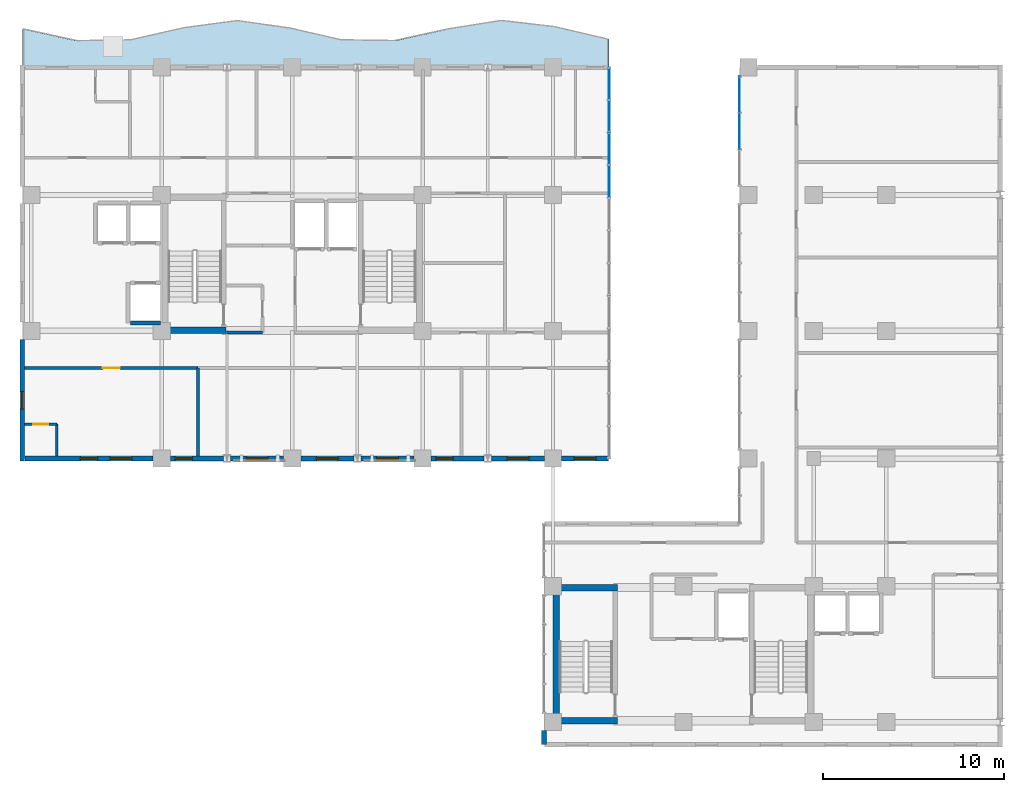
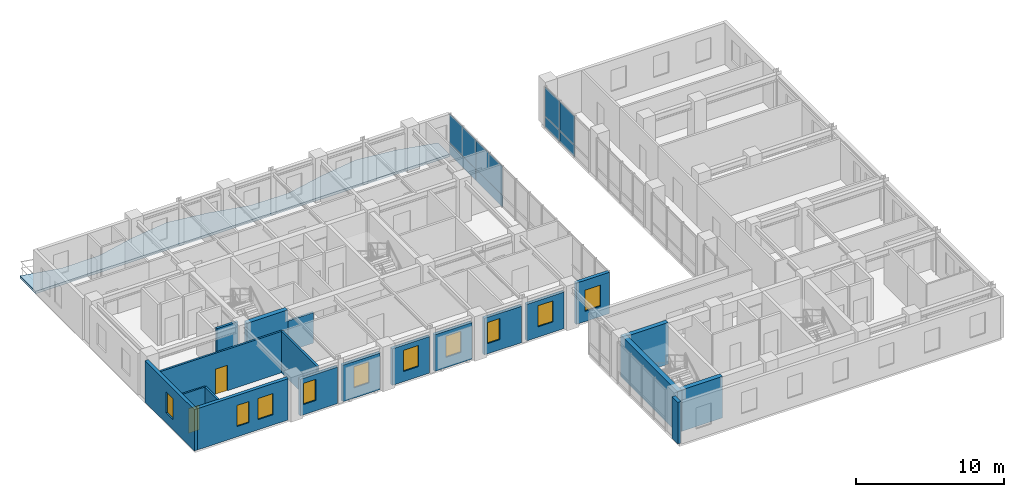
# One storey, part 16 of 24: 20 walls, 10 windows, 8 plates, 2 doors, 1 slab, 12 openings, 2 elements without a shape of their own.
"""IFC4 building model written with IfcOpenShell, lengths in metres."""

from ifc_helpers import new_model, si_unit, direction, frame, frame_2d, origin, origin_2d, place, context, subcontext, project, spatial, polyline, rectangle, outline, extrude, source, transform, mapped, material, layer, layer_set, type_object, element, fill, aggregate, save


model = new_model("IFC4")

# Units and contexts
model_context = context("Model", 3, precision=1e-05, world=origin(), true_north=direction((0.0, 1.0)))
body_context = subcontext(model_context, "Body", "Model", "MODEL_VIEW")
ifc_project = project(units=[si_unit("LENGTHUNIT", "METRE"), si_unit("AREAUNIT", "SQUARE_METRE"), si_unit("VOLUMEUNIT", "CUBIC_METRE"), si_unit("PLANEANGLEUNIT", "RADIAN"), si_unit("MASSUNIT", "GRAM", prefix="KILO")], contexts=[model_context])

# Site, building, storey
site_placement = place(None, origin())
site = spatial("IfcSite", under=ifc_project, at=site_placement, CompositionType="ELEMENT")
building_placement = place(site_placement, origin())
building = spatial("IfcBuilding", under=site, at=building_placement, Name="Kaliganga Portal Commons", CompositionType="ELEMENT")
storey_placement = place(building_placement, frame((0.0, 0.0, 235.10009765625)))
storey = spatial("IfcBuildingStorey", under=building, at=storey_placement, Name="L60", CompositionType="ELEMENT", Elevation=235.10009765625)

# Slab
ifc_material_1 = material(Name="Concrete C40/50", Category="concrete")
ifc_layer_1 = layer(ifc_material_1, 0.2099609375)
ifc_layer_set_1 = layer_set([ifc_layer_1], Name="Concrete C40/50")
slab_type = type_object("IfcSlabType", Name="SLB-BALC-210", PredefinedType="FLOOR", material=ifc_layer_set_1)
slab_placement = place(storey_placement, frame((0.0, 0.0, -0.210205078125)))
element("IfcSlab", 1, at=slab_placement, inside=storey, type_object=slab_type, Name="Scalloped Tree-Planter Balcony Slab L60 balc_north", PredefinedType="FLOOR", context=body_context, shape_type="SweptSolid", body=[
    extrude(outline(polyline([(39.10009765625, 43.199951171875), (39.10009765625, 44.760498046875), (36.154541015625, 45.455078125), (33.208984375, 45.796142578125), (30.263671875, 45.3271484375), (27.318115234375, 44.67578125), (24.372802734375, 44.714111328125), (21.42724609375, 45.390625), (18.481689453125, 45.800048828125), (15.536376953125, 45.39404296875), (12.5908203125, 44.71630859375), (9.6455078125, 44.674072265625), (6.699951171875, 45.32373046875), (6.699951171875, 43.199951171875), (39.10009765625, 43.199951171875)])), origin(), (0.0, 0.0, 1.0), 0.210205078125),
])

# Curtain wall, plates
ifc_material_2 = material(Name="Anodized Aluminium and Laminated Low-E Glass", Category="aluminium")
ifc_layer_2 = layer(ifc_material_2, 0.239990234375)
ifc_layer_set_2 = layer_set([ifc_layer_2], Name="Anodized Aluminium and Laminated Low-E Glass")
curtain_wall_type = type_object("IfcCurtainWallType", Name="CW-SYS-04", PredefinedType="NOTDEFINED", material=ifc_layer_set_2)
curtain_wall_1_placement = place(storey_placement, origin())
curtain_wall_1 = element("IfcCurtainWall", 2, at=curtain_wall_1_placement, inside=storey, type_object=curtain_wall_type, Name="CW 04 L60 P1E01S1", PredefinedType="NOTDEFINED")
ifc_material_3 = material(Name="Insulated Dark Spandrel Panel", Category="metal")
ifc_layer_3 = layer(ifc_material_3, 0.044921875)
ifc_layer_set_3 = layer_set([ifc_layer_3], Name="Insulated Dark Spandrel Panel")
plate_type_1 = type_object("IfcPlateType", Name="PLT-SPN-45", PredefinedType="SHEET", material=ifc_layer_set_3)
shared_shape_1 = source(origin(), body_context, "Body", "SweptSolid", [
    extrude(rectangle(XDim=3.56005859375, YDim=0.044921875, at=origin_2d()), origin(), (0.0, 0.0, 1.0), 0.929931640625),
])
plate_1_placement = place(storey_placement, frame((39.10009765625, 37.800048828125, 0.009765625), z_axis=(0.0, 0.0, 1.0), x_axis=(0.0, 1.0, 0.0)))
plate_1 = element("IfcPlate", 3, at=plate_1_placement, type_object=plate_type_1, Name="CW:04:L60:P1E01S1 Spandrel 08", PredefinedType="SHEET", context=body_context, shape_type="MappedRepresentation", body=[
    mapped(shared_shape_1, transform((0.0, 0.0, 0.0), x_axis=(1.0, 0.0, 0.0), y_axis=(0.0, 1.0, 0.0), z_axis=(0.0, 0.0, 1.0), scale=1.0)),
])
plate_2_placement = place(storey_placement, frame((39.10009765625, 41.39990234375, 0.009765625), z_axis=(0.0, 0.0, 1.0), x_axis=(0.0, 1.0, 0.0)))
plate_2 = element("IfcPlate", 4, at=plate_2_placement, type_object=plate_type_1, Name="CW:04:L60:P1E01S1 Spandrel 10", PredefinedType="SHEET", context=body_context, shape_type="MappedRepresentation", body=[
    mapped(shared_shape_1, transform((0.0, 0.0, 0.0), x_axis=(1.0, 0.0, 0.0), y_axis=(0.0, 1.0, 0.0), z_axis=(0.0, 0.0, 1.0), scale=1.0)),
])
ifc_material_4 = material(Name="Dark Solar-Control Laminated Low-E IGU", Category="glass")
ifc_layer_4 = layer(ifc_material_4, 0.028076171875)
ifc_layer_set_4 = layer_set([ifc_layer_4], Name="Dark Solar-Control Laminated Low-E IGU")
plate_type_2 = type_object("IfcPlateType", Name="PLT-GLZ-28", PredefinedType="CURTAIN_PANEL", material=ifc_layer_set_4)
shared_shape_2 = source(origin(), body_context, "Body", "SweptSolid", [
    extrude(rectangle(XDim=3.56005859375, YDim=0.028076171875, at=origin_2d()), origin(), (0.0, 0.0, 1.0), 2.389892578125),
])
plate_3_placement = place(storey_placement, frame((39.10009765625, 37.800048828125, 0.9599609375), z_axis=(0.0, 0.0, 1.0), x_axis=(0.0, 1.0, 0.0)))
plate_3 = element("IfcPlate", 5, at=plate_3_placement, type_object=plate_type_2, Name="CW:04:L60:P1E01S1 Vision IGU 08", PredefinedType="CURTAIN_PANEL", context=body_context, shape_type="MappedRepresentation", body=[
    mapped(shared_shape_2, transform((0.0, 0.0, 0.0), x_axis=(1.0, 0.0, 0.0), y_axis=(0.0, 1.0, 0.0), z_axis=(0.0, 0.0, 1.0), scale=1.0)),
])
plate_4_placement = place(storey_placement, frame((39.10009765625, 41.39990234375, 0.9599609375), z_axis=(0.0, 0.0, 1.0), x_axis=(0.0, 1.0, 0.0)))
plate_4 = element("IfcPlate", 6, at=plate_4_placement, type_object=plate_type_2, Name="CW:04:L60:P1E01S1 Vision IGU 10", PredefinedType="CURTAIN_PANEL", context=body_context, shape_type="MappedRepresentation", body=[
    mapped(shared_shape_2, transform((0.0, 0.0, 0.0), x_axis=(1.0, 0.0, 0.0), y_axis=(0.0, 1.0, 0.0), z_axis=(0.0, 0.0, 1.0), scale=1.0)),
])
aggregate(curtain_wall_1, [plate_1, plate_3, plate_2, plate_4])

curtain_wall_2_placement = place(storey_placement, origin())
curtain_wall_2 = element("IfcCurtainWall", 7, at=curtain_wall_2_placement, inside=storey, type_object=curtain_wall_type, Name="CW 04 L60 P2E03S1", PredefinedType="NOTDEFINED")
shared_shape_3 = source(origin(), body_context, "Body", "SweptSolid", [
    extrude(rectangle(XDim=1.99267578125, YDim=0.044921875, at=origin_2d()), origin(), (0.0, 0.0, 1.0), 0.929931640625),
])
plate_5_placement = place(storey_placement, frame((46.300048828125, 41.707763671875, 0.009765625), z_axis=(0.0, 0.0, 1.0), x_axis=(0.0, -1.0, 0.0)))
plate_5 = element("IfcPlate", 8, at=plate_5_placement, type_object=plate_type_1, Name="CW:04:L60:P2E03S1 Spandrel 00", PredefinedType="SHEET", context=body_context, shape_type="MappedRepresentation", body=[
    mapped(shared_shape_3, transform((0.0, 0.0, 0.0), x_axis=(1.0, 0.0, 0.0), y_axis=(0.0, 1.0, 0.0), z_axis=(0.0, 0.0, 1.0), scale=1.0)),
])
plate_6_placement = place(storey_placement, frame((46.300048828125, 39.675048828125, 0.009765625), z_axis=(0.0, 0.0, 1.0), x_axis=(0.0, -1.0, 0.0)))
plate_6 = element("IfcPlate", 9, at=plate_6_placement, type_object=plate_type_1, Name="CW:04:L60:P2E03S1 Spandrel 01", PredefinedType="SHEET", context=body_context, shape_type="MappedRepresentation", body=[
    mapped(shared_shape_3, transform((0.0, 0.0, 0.0), x_axis=(1.0, 0.0, 0.0), y_axis=(0.0, 1.0, 0.0), z_axis=(0.0, 0.0, 1.0), scale=1.0)),
])
shared_shape_4 = source(origin(), body_context, "Body", "SweptSolid", [
    extrude(rectangle(XDim=1.99267578125, YDim=0.028076171875, at=origin_2d()), origin(), (0.0, 0.0, 1.0), 2.389892578125),
])
plate_7_placement = place(storey_placement, frame((46.300048828125, 41.707763671875, 0.9599609375), z_axis=(0.0, 0.0, 1.0), x_axis=(0.0, -1.0, 0.0)))
plate_7 = element("IfcPlate", 10, at=plate_7_placement, type_object=plate_type_2, Name="CW:04:L60:P2E03S1 Vision IGU 00", PredefinedType="CURTAIN_PANEL", context=body_context, shape_type="MappedRepresentation", body=[
    mapped(shared_shape_4, transform((0.0, 0.0, 0.0), x_axis=(1.0, 0.0, 0.0), y_axis=(0.0, 1.0, 0.0), z_axis=(0.0, 0.0, 1.0), scale=1.0)),
])
plate_8_placement = place(storey_placement, frame((46.300048828125, 39.675048828125, 0.9599609375), z_axis=(0.0, 0.0, 1.0), x_axis=(0.0, -1.0, 0.0)))
plate_8 = element("IfcPlate", 11, at=plate_8_placement, type_object=plate_type_2, Name="CW:04:L60:P2E03S1 Vision IGU 01", PredefinedType="CURTAIN_PANEL", context=body_context, shape_type="MappedRepresentation", body=[
    mapped(shared_shape_4, transform((0.0, 0.0, 0.0), x_axis=(1.0, 0.0, 0.0), y_axis=(0.0, 1.0, 0.0), z_axis=(0.0, 0.0, 1.0), scale=1.0)),
])
aggregate(curtain_wall_2, [plate_5, plate_7, plate_6, plate_8])

# Walls
ifc_material_5 = material(Name="Concrete C50/60", Category="concrete")
ifc_layer_5 = layer(ifc_material_5, 0.35009765625)
ifc_layer_set_5 = layer_set([ifc_layer_5], Name="Concrete C50/60")
wall_type_1 = type_object("IfcWallType", Name="WL-CORE-350", PredefinedType="SHEAR", material=ifc_layer_set_5)
wall_1_placement = place(storey_placement, frame((14.75, 28.675048828125, 0.0), z_axis=(0.0, 0.0, 1.0), x_axis=(1.0, 0.0, 0.0)))
element("IfcWall", 12, at=wall_1_placement, inside=storey, type_object=wall_type_1, Name="Core A S-West Shear Wall L60", PredefinedType="SHEAR", context=body_context, shape_type="SweptSolid", body=[
    extrude(rectangle(XDim=3.199951171875, YDim=0.35009765625, at=frame_2d((1.60009765625, 0.0))), origin(), (0.0, 0.0, 1.0), 3.43994140625),
])
wall_2_placement = place(storey_placement, frame((36.175048828125, 6.949951171875, 0.0), z_axis=(0.0, 0.0, 1.0), x_axis=(0.0, 1.0, 0.0)))
element("IfcWall", 13, at=wall_2_placement, inside=storey, type_object=wall_type_1, Name="Core B West Shear Wall L60", PredefinedType="SHEAR", context=body_context, shape_type="SweptSolid", body=[
    extrude(rectangle(XDim=7.699951171875, YDim=0.35009765625, at=frame_2d((3.85009765625, 0.0))), origin(), (0.0, 0.0, 1.0), 3.43994140625),
])
for number, where, z_axis, x_axis, name in (
    (14, (36.35009765625, 7.125, 0.0), (0.0, 0.0, 1.0), (1.0, 0.0, 0.0), "Core B S-West Shear Wall L60"),
    (15, (36.35009765625, 14.47509765625, 0.0), (0.0, 0.0, 1.0), (1.0, 0.0, 0.0), "Core B N-West Shear Wall L60"),
):
    element("IfcWall", number, at=place(storey_placement, frame(where, z_axis=z_axis, x_axis=x_axis)), inside=storey, type_object=wall_type_1, Name=name, PredefinedType="SHEAR", context=body_context, shape_type="SweptSolid", body=[
        extrude(rectangle(XDim=3.199951171875, YDim=0.35009765625, at=frame_2d((1.60009765625, 0.0))), origin(), (0.0, 0.0, 1.0), 3.43994140625),
    ])

# Wall, openings, windows
ifc_material_6 = material(Name="Insulated Aluminium-Clad Spandrel Assembly", Category="aluminium")
ifc_layer_6 = layer(ifc_material_6, 0.260009765625)
ifc_layer_set_6 = layer_set([ifc_layer_6], Name="Insulated Aluminium-Clad Spandrel Assembly")
wall_type_2 = type_object("IfcWallType", Name="WL-EXT-SPAND-260", PredefinedType="STANDARD", material=ifc_layer_set_6)
wall_3_placement = place(storey_placement, frame((13.924072265625, 21.60009765625, 0.0), z_axis=(0.0, 0.0, 1.0), x_axis=(-1.0, 0.0, 0.0)))
wall_3 = element("IfcWall", 16, at=wall_3_placement, inside=storey, type_object=wall_type_2, Name="Exterior Envelope Wall L60 P1-E00-S1", PredefinedType="STANDARD", context=body_context, shape_type="SweptSolid", body=[
    extrude(rectangle(XDim=7.089111328125, YDim=0.260009765625, at=frame_2d((3.54443359375, 0.0))), origin(), (0.0, 0.0, 1.0), 3.419921875),
])
opening_1_placement = place(wall_3_placement, frame((1.17236328125, 0.0, 0.85009765625)))
opening_1 = element("IfcOpeningElement", 17, at=opening_1_placement, cuts=wall_3, Name="Opening W-03", PredefinedType="OPENING", context=body_context, shape_type="SweptSolid", body=[
    extrude(rectangle(XDim=1.199951171875, YDim=1.75, at=frame_2d((0.60009765625, 0.875))), frame((0.0, 0.14013671875, 0.0), z_axis=(0.0, -1.0, 0.0), x_axis=(1.0, 0.0, 0.0)), (0.0, 0.0, 1.0), 0.280029296875),
])
opening_2_placement = place(wall_3_placement, frame((3.069580078125, 0.0, 0.85009765625)))
opening_2 = element("IfcOpeningElement", 18, at=opening_2_placement, cuts=wall_3, Name="Opening W-04", PredefinedType="OPENING", context=body_context, shape_type="SweptSolid", body=[
    extrude(rectangle(XDim=0.949951171875, YDim=1.75, at=frame_2d((0.47509765625, 0.875))), frame((0.0, 0.14013671875, 0.0), z_axis=(0.0, -1.0, 0.0), x_axis=(1.0, 0.0, 0.0)), (0.0, 0.0, 1.0), 0.280029296875),
])
ifc_material_7 = material(Name="Thermally Broken Aluminium and Low-E Double Glazing", Category="aluminium")
window_type_1 = type_object("IfcWindowType", Name="WIN-NARROW-950", PartitioningType="SINGLE_PANEL", PredefinedType="WINDOW", material=ifc_material_7)
window_1_placement = place(opening_2_placement, origin())
window_1 = element("IfcWindow", 19, at=window_1_placement, inside=storey, type_object=window_type_1, Name="Facade Window L60-P1E00S1-N0", OverallHeight=1.75, OverallWidth=0.949951171875, PartitioningType="SINGLE_PANEL", PredefinedType="WINDOW", context=body_context, shape_type="SweptSolid", body=[
    extrude(rectangle(XDim=0.949951171875, YDim=1.75, at=frame_2d((0.47509765625, 0.875))), frame((0.0, 0.030029296875, 0.0), z_axis=(0.0, -1.0, 0.0), x_axis=(1.0, 0.0, 0.0)), (0.0, 0.0, 1.0), 0.06005859375),
])
fill(opening_2, window_1)
window_type_2 = type_object("IfcWindowType", Name="WIN-STD-1200", PartitioningType="SINGLE_PANEL", PredefinedType="WINDOW", material=ifc_material_7)
window_2_placement = place(opening_1_placement, origin())
window_2 = element("IfcWindow", 20, at=window_2_placement, inside=storey, type_object=window_type_2, Name="Facade Window L60-P1E00S1-00", OverallHeight=1.75, OverallWidth=1.199951171875, PartitioningType="SINGLE_PANEL", PredefinedType="WINDOW", context=body_context, shape_type="SweptSolid", body=[
    extrude(rectangle(XDim=1.199951171875, YDim=1.75, at=frame_2d((0.60009765625, 0.875))), frame((0.0, 0.030029296875, 0.0), z_axis=(0.0, -1.0, 0.0), x_axis=(1.0, 0.0, 0.0)), (0.0, 0.0, 1.0), 0.06005859375),
])
fill(opening_1, window_2)

# Wall, opening, window
wall_4_placement = place(storey_placement, frame((17.799560546875, 21.60009765625, 0.0), z_axis=(0.0, 0.0, 1.0), x_axis=(-1.0, 0.0, 0.0)))
wall_4 = element("IfcWall", 21, at=wall_4_placement, inside=storey, type_object=wall_type_2, Name="Exterior Envelope Wall L60 P1-E00-S2", PredefinedType="STANDARD", context=body_context, shape_type="SweptSolid", body=[
    extrude(rectangle(XDim=2.923583984375, YDim=0.260009765625, at=frame_2d((1.4619140625, 0.0))), origin(), (0.0, 0.0, 1.0), 3.02001953125),
])
opening_3_placement = place(wall_4_placement, frame((1.7119140625, 0.0, 0.85009765625)))
opening_3 = element("IfcOpeningElement", 22, at=opening_3_placement, cuts=wall_4, Name="Opening W-04", PredefinedType="OPENING", context=body_context, shape_type="SweptSolid", body=[
    extrude(rectangle(XDim=0.949951171875, YDim=1.75, at=frame_2d((0.47509765625, 0.875))), frame((0.0, 0.14013671875, 0.0), z_axis=(0.0, -1.0, 0.0), x_axis=(1.0, 0.0, 0.0)), (0.0, 0.0, 1.0), 0.280029296875),
])
window_3_placement = place(opening_3_placement, origin())
window_3 = element("IfcWindow", 23, at=window_3_placement, inside=storey, type_object=window_type_1, Name="Facade Window L60-P1E00S2-N2", OverallHeight=1.75, OverallWidth=0.949951171875, PartitioningType="SINGLE_PANEL", PredefinedType="WINDOW", context=body_context, shape_type="SweptSolid", body=[
    extrude(rectangle(XDim=0.949951171875, YDim=1.75, at=frame_2d((0.47509765625, 0.875))), frame((0.0, 0.030029296875, 0.0), z_axis=(0.0, -1.0, 0.0), x_axis=(1.0, 0.0, 0.0)), (0.0, 0.0, 1.0), 0.06005859375),
])
fill(opening_3, window_3)

wall_5_placement = place(storey_placement, frame((21.1240234375, 21.60009765625, 0.0), z_axis=(0.0, 0.0, 1.0), x_axis=(-1.0, 0.0, 0.0)))
wall_5 = element("IfcWall", 24, at=wall_5_placement, inside=storey, type_object=wall_type_2, Name="Exterior Envelope Wall L60 P1-E00-S3", PredefinedType="STANDARD", context=body_context, shape_type="SweptSolid", body=[
    extrude(rectangle(XDim=2.923583984375, YDim=0.260009765625, at=frame_2d((1.4619140625, 0.0))), origin(), (0.0, 0.0, 1.0), 3.02001953125),
])
opening_4_placement = place(wall_5_placement, frame((0.86181640625, 0.0, 0.85009765625)))
opening_4 = element("IfcOpeningElement", 25, at=opening_4_placement, cuts=wall_5, Name="Opening W-03", PredefinedType="OPENING", context=body_context, shape_type="SweptSolid", body=[
    extrude(rectangle(XDim=1.199951171875, YDim=1.75, at=frame_2d((0.60009765625, 0.875))), frame((0.0, 0.14013671875, 0.0), z_axis=(0.0, -1.0, 0.0), x_axis=(1.0, 0.0, 0.0)), (0.0, 0.0, 1.0), 0.280029296875),
])
window_4_placement = place(opening_4_placement, origin())
window_4 = element("IfcWindow", 26, at=window_4_placement, inside=storey, type_object=window_type_2, Name="Facade Window L60-P1E00S3-00", OverallHeight=1.75, OverallWidth=1.199951171875, PartitioningType="SINGLE_PANEL", PredefinedType="WINDOW", context=body_context, shape_type="SweptSolid", body=[
    extrude(rectangle(XDim=1.199951171875, YDim=1.75, at=frame_2d((0.60009765625, 0.875))), frame((0.0, 0.030029296875, 0.0), z_axis=(0.0, -1.0, 0.0), x_axis=(1.0, 0.0, 0.0)), (0.0, 0.0, 1.0), 0.06005859375),
])
fill(opening_4, window_4)

wall_6_placement = place(storey_placement, frame((24.99951171875, 21.60009765625, 0.0), z_axis=(0.0, 0.0, 1.0), x_axis=(-1.0, 0.0, 0.0)))
wall_6 = element("IfcWall", 27, at=wall_6_placement, inside=storey, type_object=wall_type_2, Name="Exterior Envelope Wall L60 P1-E00-S4", PredefinedType="STANDARD", context=body_context, shape_type="SweptSolid", body=[
    extrude(rectangle(XDim=2.923583984375, YDim=0.260009765625, at=frame_2d((1.4619140625, 0.0))), origin(), (0.0, 0.0, 1.0), 3.02001953125),
])
opening_5_placement = place(wall_6_placement, frame((0.86181640625, 0.0, 0.85009765625)))
opening_5 = element("IfcOpeningElement", 28, at=opening_5_placement, cuts=wall_6, Name="Opening W-03", PredefinedType="OPENING", context=body_context, shape_type="SweptSolid", body=[
    extrude(rectangle(XDim=1.199951171875, YDim=1.75, at=frame_2d((0.60009765625, 0.875))), frame((0.0, 0.14013671875, 0.0), z_axis=(0.0, -1.0, 0.0), x_axis=(1.0, 0.0, 0.0)), (0.0, 0.0, 1.0), 0.280029296875),
])
window_5_placement = place(opening_5_placement, origin())
window_5 = element("IfcWindow", 29, at=window_5_placement, inside=storey, type_object=window_type_2, Name="Facade Window L60-P1E00S4-00", OverallHeight=1.75, OverallWidth=1.199951171875, PartitioningType="SINGLE_PANEL", PredefinedType="WINDOW", context=body_context, shape_type="SweptSolid", body=[
    extrude(rectangle(XDim=1.199951171875, YDim=1.75, at=frame_2d((0.60009765625, 0.875))), frame((0.0, 0.030029296875, 0.0), z_axis=(0.0, -1.0, 0.0), x_axis=(1.0, 0.0, 0.0)), (0.0, 0.0, 1.0), 0.06005859375),
])
fill(opening_5, window_5)

wall_7_placement = place(storey_placement, frame((28.323974609375, 21.60009765625, 0.0), z_axis=(0.0, 0.0, 1.0), x_axis=(-1.0, 0.0, 0.0)))
wall_7 = element("IfcWall", 30, at=wall_7_placement, inside=storey, type_object=wall_type_2, Name="Exterior Envelope Wall L60 P1-E00-S5", PredefinedType="STANDARD", context=body_context, shape_type="SweptSolid", body=[
    extrude(rectangle(XDim=2.923583984375, YDim=0.260009765625, at=frame_2d((1.4619140625, 0.0))), origin(), (0.0, 0.0, 1.0), 3.02001953125),
])
opening_6_placement = place(wall_7_placement, frame((0.86181640625, 0.0, 0.85009765625)))
opening_6 = element("IfcOpeningElement", 31, at=opening_6_placement, cuts=wall_7, Name="Opening W-03", PredefinedType="OPENING", context=body_context, shape_type="SweptSolid", body=[
    extrude(rectangle(XDim=1.199951171875, YDim=1.75, at=frame_2d((0.60009765625, 0.875))), frame((0.0, 0.14013671875, 0.0), z_axis=(0.0, -1.0, 0.0), x_axis=(1.0, 0.0, 0.0)), (0.0, 0.0, 1.0), 0.280029296875),
])
window_6_placement = place(opening_6_placement, origin())
window_6 = element("IfcWindow", 32, at=window_6_placement, inside=storey, type_object=window_type_2, Name="Facade Window L60-P1E00S5-00", OverallHeight=1.75, OverallWidth=1.199951171875, PartitioningType="SINGLE_PANEL", PredefinedType="WINDOW", context=body_context, shape_type="SweptSolid", body=[
    extrude(rectangle(XDim=1.199951171875, YDim=1.75, at=frame_2d((0.60009765625, 0.875))), frame((0.0, 0.030029296875, 0.0), z_axis=(0.0, -1.0, 0.0), x_axis=(1.0, 0.0, 0.0)), (0.0, 0.0, 1.0), 0.06005859375),
])
fill(opening_6, window_6)

wall_8_placement = place(storey_placement, frame((32.199462890625, 21.60009765625, 0.0), z_axis=(0.0, 0.0, 1.0), x_axis=(-1.0, 0.0, 0.0)))
wall_8 = element("IfcWall", 33, at=wall_8_placement, inside=storey, type_object=wall_type_2, Name="Exterior Envelope Wall L60 P1-E00-S6", PredefinedType="STANDARD", context=body_context, shape_type="SweptSolid", body=[
    extrude(rectangle(XDim=2.923583984375, YDim=0.260009765625, at=frame_2d((1.4619140625, 0.0))), origin(), (0.0, 0.0, 1.0), 3.02001953125),
])
opening_7_placement = place(wall_8_placement, frame((1.7119140625, 0.0, 0.85009765625)))
opening_7 = element("IfcOpeningElement", 34, at=opening_7_placement, cuts=wall_8, Name="Opening W-04", PredefinedType="OPENING", context=body_context, shape_type="SweptSolid", body=[
    extrude(rectangle(XDim=0.949951171875, YDim=1.75, at=frame_2d((0.47509765625, 0.875))), frame((0.0, 0.14013671875, 0.0), z_axis=(0.0, -1.0, 0.0), x_axis=(1.0, 0.0, 0.0)), (0.0, 0.0, 1.0), 0.280029296875),
])
window_7_placement = place(opening_7_placement, origin())
window_7 = element("IfcWindow", 35, at=window_7_placement, inside=storey, type_object=window_type_1, Name="Facade Window L60-P1E00S6-N2", OverallHeight=1.75, OverallWidth=0.949951171875, PartitioningType="SINGLE_PANEL", PredefinedType="WINDOW", context=body_context, shape_type="SweptSolid", body=[
    extrude(rectangle(XDim=0.949951171875, YDim=1.75, at=frame_2d((0.47509765625, 0.875))), frame((0.0, 0.030029296875, 0.0), z_axis=(0.0, -1.0, 0.0), x_axis=(1.0, 0.0, 0.0)), (0.0, 0.0, 1.0), 0.06005859375),
])
fill(opening_7, window_7)

wall_9_placement = place(storey_placement, frame((35.52392578125, 21.60009765625, 0.0), z_axis=(0.0, 0.0, 1.0), x_axis=(-1.0, 0.0, 0.0)))
wall_9 = element("IfcWall", 36, at=wall_9_placement, inside=storey, type_object=wall_type_2, Name="Exterior Envelope Wall L60 P1-E00-S7", PredefinedType="STANDARD", context=body_context, shape_type="SweptSolid", body=[
    extrude(rectangle(XDim=2.92333984375, YDim=0.260009765625, at=frame_2d((1.461669921875, 0.0))), origin(), (0.0, 0.0, 1.0), 3.02001953125),
])
opening_8_placement = place(wall_9_placement, frame((0.86181640625, 0.0, 0.85009765625)))
opening_8 = element("IfcOpeningElement", 37, at=opening_8_placement, cuts=wall_9, Name="Opening W-03", PredefinedType="OPENING", context=body_context, shape_type="SweptSolid", body=[
    extrude(rectangle(XDim=1.199951171875, YDim=1.75, at=frame_2d((0.60009765625, 0.875))), frame((0.0, 0.14013671875, 0.0), z_axis=(0.0, -1.0, 0.0), x_axis=(1.0, 0.0, 0.0)), (0.0, 0.0, 1.0), 0.280029296875),
])
window_8_placement = place(opening_8_placement, origin())
window_8 = element("IfcWindow", 38, at=window_8_placement, inside=storey, type_object=window_type_2, Name="Facade Window L60-P1E00S7-00", OverallHeight=1.75, OverallWidth=1.199951171875, PartitioningType="SINGLE_PANEL", PredefinedType="WINDOW", context=body_context, shape_type="SweptSolid", body=[
    extrude(rectangle(XDim=1.199951171875, YDim=1.75, at=frame_2d((0.60009765625, 0.875))), frame((0.0, 0.030029296875, 0.0), z_axis=(0.0, -1.0, 0.0), x_axis=(1.0, 0.0, 0.0)), (0.0, 0.0, 1.0), 0.06005859375),
])
fill(opening_8, window_8)

wall_10_placement = place(storey_placement, frame((39.06298828125, 21.60009765625, 0.0), z_axis=(0.0, 0.0, 1.0), x_axis=(-1.0, 0.0, 0.0)))
wall_10 = element("IfcWall", 39, at=wall_10_placement, inside=storey, type_object=wall_type_2, Name="Exterior Envelope Wall L60 P1-E00-S8", PredefinedType="STANDARD", context=body_context, shape_type="SweptSolid", body=[
    extrude(rectangle(XDim=2.5869140625, YDim=0.260009765625, at=frame_2d((1.29345703125, 0.0))), origin(), (0.0, 0.0, 1.0), 3.419921875),
])
opening_9_placement = place(wall_10_placement, frame((0.693603515625, 0.0, 0.85009765625)))
opening_9 = element("IfcOpeningElement", 40, at=opening_9_placement, cuts=wall_10, Name="Opening W-03", PredefinedType="OPENING", context=body_context, shape_type="SweptSolid", body=[
    extrude(rectangle(XDim=1.199951171875, YDim=1.75, at=frame_2d((0.60009765625, 0.875))), frame((0.0, 0.14013671875, 0.0), z_axis=(0.0, -1.0, 0.0), x_axis=(1.0, 0.0, 0.0)), (0.0, 0.0, 1.0), 0.280029296875),
])
window_9_placement = place(opening_9_placement, origin())
window_9 = element("IfcWindow", 41, at=window_9_placement, inside=storey, type_object=window_type_2, Name="Facade Window L60-P1E00S8-00", OverallHeight=1.75, OverallWidth=1.199951171875, PartitioningType="SINGLE_PANEL", PredefinedType="WINDOW", context=body_context, shape_type="SweptSolid", body=[
    extrude(rectangle(XDim=1.199951171875, YDim=1.75, at=frame_2d((0.60009765625, 0.875))), frame((0.0, 0.030029296875, 0.0), z_axis=(0.0, -1.0, 0.0), x_axis=(1.0, 0.0, 0.0)), (0.0, 0.0, 1.0), 0.06005859375),
])
fill(opening_9, window_9)

wall_11_placement = place(storey_placement, frame((6.699951171875, 21.469970703125, 0.0), z_axis=(0.0, 0.0, 1.0), x_axis=(0.0, 1.0, 0.0)))
wall_11 = element("IfcWall", 42, at=wall_11_placement, inside=storey, type_object=wall_type_2, Name="Exterior Envelope Wall L60 P1-E03-S3", PredefinedType="STANDARD", context=body_context, shape_type="SweptSolid", body=[
    extrude(rectangle(XDim=6.7041015625, YDim=0.260009765625, at=frame_2d((3.35205078125, 0.0))), origin(), (0.0, 0.0, 1.0), 3.419921875),
])
opening_10_placement = place(wall_11_placement, frame((2.876953125, 0.0, 0.85009765625)))
opening_10 = element("IfcOpeningElement", 43, at=opening_10_placement, cuts=wall_11, Name="Opening W-04", PredefinedType="OPENING", context=body_context, shape_type="SweptSolid", body=[
    extrude(rectangle(XDim=0.949951171875, YDim=1.75, at=frame_2d((0.47509765625, 0.875))), frame((0.0, 0.14013671875, 0.0), z_axis=(0.0, -1.0, 0.0), x_axis=(1.0, 0.0, 0.0)), (0.0, 0.0, 1.0), 0.280029296875),
])
window_10_placement = place(opening_10_placement, origin())
window_10 = element("IfcWindow", 44, at=window_10_placement, inside=storey, type_object=window_type_1, Name="Facade Window L60-P1E03S3-N0", OverallHeight=1.75, OverallWidth=0.949951171875, PartitioningType="SINGLE_PANEL", PredefinedType="WINDOW", context=body_context, shape_type="SweptSolid", body=[
    extrude(rectangle(XDim=0.949951171875, YDim=1.75, at=frame_2d((0.47509765625, 0.875))), frame((0.0, 0.030029296875, 0.0), z_axis=(0.0, -1.0, 0.0), x_axis=(1.0, 0.0, 0.0)), (0.0, 0.0, 1.0), 0.06005859375),
])
fill(opening_10, window_10)

# Wall
wall_12_placement = place(storey_placement, frame((35.5, 5.800048828125, 0.0), z_axis=(0.0, 0.0, 1.0), x_axis=(0.0, 1.0, 0.0)))
element("IfcWall", 45, at=wall_12_placement, inside=storey, type_object=wall_type_2, Name="Exterior Spandrel Closure Pier L60 P2-E05-S3", PredefinedType="STANDARD", context=body_context, shape_type="SweptSolid", body=[
    extrude(rectangle(XDim=0.77392578125, YDim=0.260009765625, at=frame_2d((0.386962890625, 0.0))), origin(), (0.0, 0.0, 1.0), 3.43994140625),
])

# Wall, opening, door
ifc_material_8 = material(Name="Fire-Rated Gypsum Board on Steel Stud", Category="steel")
ifc_layer_7 = layer(ifc_material_8, 0.14990234375)
ifc_layer_set_7 = layer_set([ifc_layer_7], Name="Fire-Rated Gypsum Board on Steel Stud")
wall_type_3 = type_object("IfcWallType", Name="WL-PART-CORR-150", PredefinedType="PARTITIONING", material=ifc_layer_set_7)
wall_13_placement = place(storey_placement, frame((6.83203125, 26.60009765625, 0.0), z_axis=(0.0, 0.0, 1.0), x_axis=(1.0, 0.0, 0.0)))
wall_13 = element("IfcWall", 46, at=wall_13_placement, inside=storey, type_object=wall_type_3, Name="Interior Partition L60-009", PredefinedType="PARTITIONING", context=body_context, shape_type="SweptSolid", body=[
    extrude(rectangle(XDim=9.56787109375, YDim=0.14990234375, at=frame_2d((4.783935546875, 0.0))), origin(), (0.0, 0.0, 1.0), 3.419921875),
])
opening_11_placement = place(wall_13_placement, frame((4.30908203125, 0.0, 0.0)))
opening_11 = element("IfcOpeningElement", 47, at=opening_11_placement, cuts=wall_13, Name="Opening UD-01", PredefinedType="OPENING", context=body_context, shape_type="SweptSolid", body=[
    extrude(rectangle(XDim=0.949951171875, YDim=2.10009765625, at=frame_2d((0.47509765625, 1.050048828125))), frame((0.0, 0.0849609375, 0.0), z_axis=(0.0, -1.0, 0.0), x_axis=(1.0, 0.0, 0.0)), (0.0, 0.0, 1.0), 0.169921875),
])
ifc_material_9 = material(Name="Solid-Core Timber Acoustic Fire Door", Category="wood")
door_type_1 = type_object("IfcDoorType", Name="DR-UNIT-950", OperationType="NOTDEFINED", PredefinedType="DOOR", material=ifc_material_9)
door_1_placement = place(opening_11_placement, origin())
door_1 = element("IfcDoor", 48, at=door_1_placement, inside=storey, type_object=door_type_1, Name="Interior Door L60-AS01", OperationType="SINGLE_SWING_RIGHT", OverallHeight=2.10009765625, OverallWidth=0.949951171875, PredefinedType="DOOR", context=body_context, shape_type="SweptSolid", body=[
    extrude(rectangle(XDim=0.949951171875, YDim=2.10009765625, at=frame_2d((0.47509765625, 1.050048828125))), frame((0.0, 0.02490234375, 0.0), z_axis=(0.0, -1.0, 0.0), x_axis=(1.0, 0.0, 0.0)), (0.0, 0.0, 1.0), 0.050048828125),
])
fill(opening_11, door_1)

# Walls
wall_14_placement = place(storey_placement, frame((17.9599609375, 28.56005859375, 0.0), z_axis=(0.0, 0.0, 1.0), x_axis=(1.0, 0.0, 0.0)))
element("IfcWall", 49, at=wall_14_placement, inside=storey, type_object=wall_type_3, Name="Interior Partition L60-035", PredefinedType="PARTITIONING", context=body_context, shape_type="SweptSolid", body=[
    extrude(rectangle(XDim=2.0, YDim=0.14990234375, at=frame_2d((1.0, 0.0))), origin(), (0.0, 0.0, 1.0), 2.52001953125),
])
ifc_material_10 = material(Name="Twin-Stud Acoustic Gypsum Partition", Category="gypsum")
ifc_layer_8 = layer(ifc_material_10, 0.1650390625)
ifc_layer_set_8 = layer_set([ifc_layer_8], Name="Twin-Stud Acoustic Gypsum Partition")
wall_type_4 = type_object("IfcWallType", Name="WL-PART-UNIT-165", PredefinedType="PARTITIONING", material=ifc_layer_set_8)
wall_15_placement = place(storey_placement, frame((16.39990234375, 21.73193359375, 0.0), z_axis=(0.0, 0.0, 1.0), x_axis=(0.0, 1.0, 0.0)))
element("IfcWall", 50, at=wall_15_placement, inside=storey, type_object=wall_type_4, Name="Interior Partition L60-044", PredefinedType="PARTITIONING", context=body_context, shape_type="SweptSolid", body=[
    extrude(rectangle(XDim=4.8681640625, YDim=0.1650390625, at=frame_2d((2.43408203125, 0.0))), origin(), (0.0, 0.0, 1.0), 3.419921875),
])

# Wall, opening, door
ifc_material_11 = material(Name="Cement-Board Wet-Room Partition", Category="gypsum")
ifc_layer_9 = layer(ifc_material_11, 0.135009765625)
ifc_layer_set_9 = layer_set([ifc_layer_9], Name="Cement-Board Wet-Room Partition")
wall_type_5 = type_object("IfcWallType", Name="WL-PART-WET-135", PredefinedType="PARTITIONING", material=ifc_layer_set_9)
wall_16_placement = place(storey_placement, frame((6.83203125, 23.5, 0.0), z_axis=(0.0, 0.0, 1.0), x_axis=(1.0, 0.0, 0.0)))
wall_16 = element("IfcWall", 51, at=wall_16_placement, inside=storey, type_object=wall_type_5, Name="Interior Partition L60-004", PredefinedType="PARTITIONING", context=body_context, shape_type="SweptSolid", body=[
    extrude(rectangle(XDim=1.76806640625, YDim=0.135009765625, at=frame_2d((0.884033203125, 0.0))), origin(), (0.0, 0.0, 1.0), 3.419921875),
])
opening_12_placement = place(wall_16_placement, frame((0.458984375, 0.0, 0.0)))
opening_12 = element("IfcOpeningElement", 52, at=opening_12_placement, cuts=wall_16, Name="Opening WD-01", PredefinedType="OPENING", context=body_context, shape_type="SweptSolid", body=[
    extrude(rectangle(XDim=0.85009765625, YDim=2.0400390625, at=frame_2d((0.425048828125, 1.02001953125))), frame((0.0, 0.07763671875, 0.0), z_axis=(0.0, -1.0, 0.0), x_axis=(1.0, 0.0, 0.0)), (0.0, 0.0, 1.0), 0.155029296875),
])
ifc_material_12 = material(Name="Moisture-Resistant Laminate Timber Door", Category="wood")
door_type_2 = type_object("IfcDoorType", Name="DR-WET-850", OperationType="NOTDEFINED", PredefinedType="DOOR", material=ifc_material_12)
door_2_placement = place(opening_12_placement, origin())
door_2 = element("IfcDoor", 53, at=door_2_placement, inside=storey, type_object=door_type_2, Name="Interior Door L60-AS01E", OperationType="SINGLE_SWING_RIGHT", OverallHeight=2.0400390625, OverallWidth=0.85009765625, PredefinedType="DOOR", context=body_context, shape_type="SweptSolid", body=[
    extrude(rectangle(XDim=0.85009765625, YDim=2.0400390625, at=frame_2d((0.425048828125, 1.02001953125))), frame((0.0, 0.02490234375, 0.0), z_axis=(0.0, -1.0, 0.0), x_axis=(1.0, 0.0, 0.0)), (0.0, 0.0, 1.0), 0.050048828125),
])
fill(opening_12, door_2)

# Walls
wall_17_placement = place(storey_placement, frame((8.60009765625, 21.73193359375, 0.0), z_axis=(0.0, 0.0, 1.0), x_axis=(0.0, 1.0, 0.0)))
element("IfcWall", 54, at=wall_17_placement, inside=storey, type_object=wall_type_5, Name="Interior Partition L60-005", PredefinedType="PARTITIONING", context=body_context, shape_type="SweptSolid", body=[
    extrude(rectangle(XDim=1.76806640625, YDim=0.135009765625, at=frame_2d((0.884033203125, 0.0))), origin(), (0.0, 0.0, 1.0), 3.419921875),
])
ifc_material_13 = material(Name="Fire-Rated Shaftwall Masonry Assembly", Category="masonry")
ifc_layer_10 = layer(ifc_material_13, 0.199951171875)
ifc_layer_set_10 = layer_set([ifc_layer_10], Name="Fire-Rated Shaftwall Masonry Assembly")
wall_type_6 = type_object("IfcWallType", Name="WL-SHAFT-200", PredefinedType="PARTITIONING", material=ifc_layer_set_10)
wall_18_placement = place(storey_placement, frame((12.675048828125, 29.0849609375, 0.0), z_axis=(0.0, 0.0, 1.0), x_axis=(1.0, 0.0, 0.0)))
element("IfcWall", 55, at=wall_18_placement, inside=storey, type_object=wall_type_6, Name="Lift PL-A4 Hoistway Shaft Wall L60-S", PredefinedType="PARTITIONING", context=body_context, shape_type="SweptSolid", body=[
    extrude(rectangle(XDim=1.64990234375, YDim=0.199951171875, at=frame_2d((0.824951171875, 0.0))), origin(), (0.0, 0.0, 1.0), 3.419921875),
])

save(model, "model.ifc")
